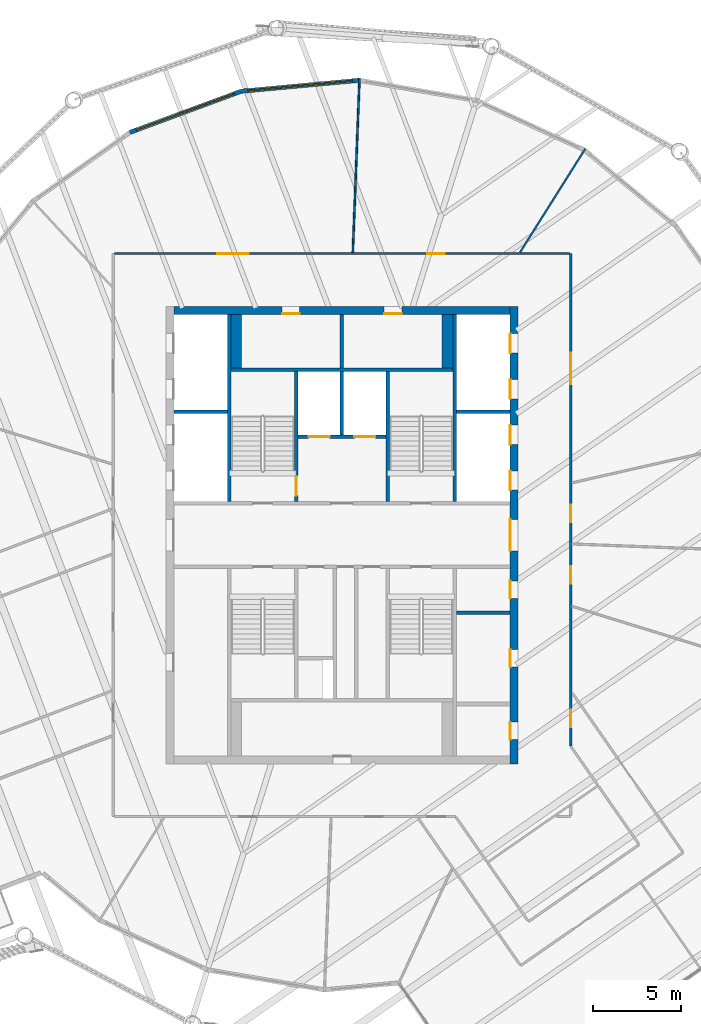
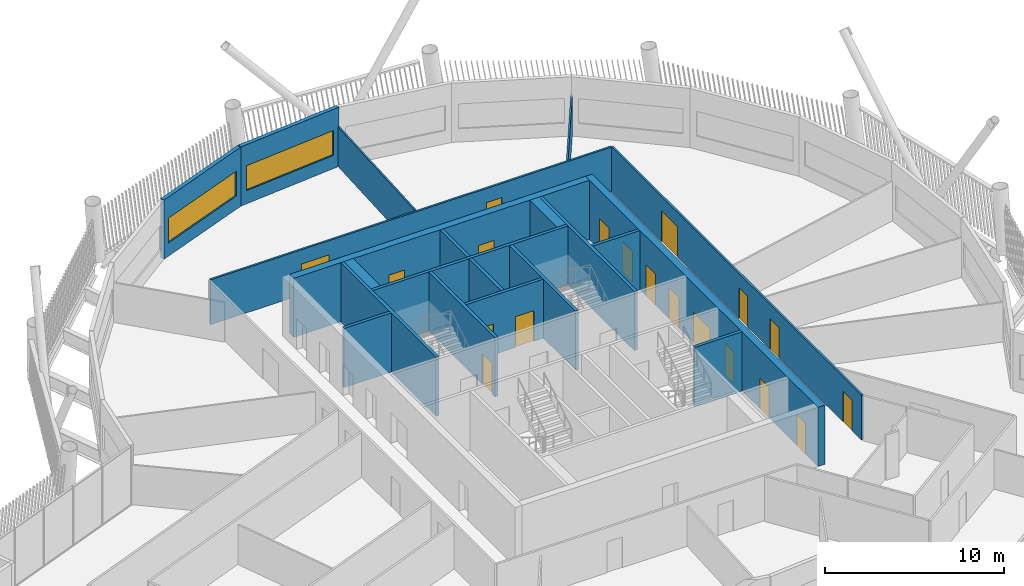
# One storey, part 19 of 33: 21 walls, 19 doors, 2 windows, 21 openings.
"""IFC4 building model written with IfcOpenShell, lengths in metres."""

import ifcopenshell
import ifcopenshell.guid

model = None  # the IFC model being written
_history = None  # IfcOwnerHistory: only IFC2X3 demands one
_inside = {}  # id of a spatial element -> (the spatial element, [elements in it])
_under = {}  # id of a project, library or spatial element -> (it, [spatial elements below it])
_declared = {}  # id of a project -> (the project, [libraries it declares])
_typed = {}  # id of a type object -> (the type object, [elements of that type])
_made_of = {}  # id of a material, layer set ... -> (it, [elements and type objects made of it])


def new_model(schema):
    """Start an empty IFC model of exactly this schema.

    Asked for "IFC4X3", IfcOpenShell would pick the latest addendum, in which some entities
    have other attributes; the version numbers below select the first issue.
    IFC2X3 requires an IfcOwnerHistory on every rooted entity: one is made here for all.
    """
    global model, _history
    if schema == "IFC4X3":
        model = ifcopenshell.file(schema_version=(4, 3, 0, 0))
    else:
        model = ifcopenshell.file(schema=schema)
    _inside.clear()
    _under.clear()
    _declared.clear()
    _typed.clear()
    _made_of.clear()
    _history = None
    if model.schema == "IFC2X3":
        org = make("IfcOrganization", Name="unknown")
        user = make(
            "IfcPersonAndOrganization",
            ThePerson=make("IfcPerson", FamilyName="unknown"),
            TheOrganization=org,
        )
        app = make(
            "IfcApplication",
            ApplicationDeveloper=org,
            Version="unknown",
            ApplicationFullName="unknown",
            ApplicationIdentifier="unknown",
        )
        _history = make(
            "IfcOwnerHistory",
            OwningUser=user,
            OwningApplication=app,
            ChangeAction="ADDED",
            CreationDate=0,
        )
    return model


def make(cls, **values):
    """One entity of the class cls with the attributes given. An attribute that is None is left unset."""
    return model.create_entity(
        cls, **{name: value for name, value in values.items() if value is not None}
    )


def rooted(cls, **values):
    """An entity with a GlobalId (a new one), such as an element, a storey or a relation."""
    return make(cls, GlobalId=ifcopenshell.guid.new(), OwnerHistory=_history, **values)


def si_unit(unit_type, name, prefix=None):
    """IfcSIUnit, for example si_unit("LENGTHUNIT", "METRE", prefix="MILLI")."""
    return make("IfcSIUnit", UnitType=unit_type, Prefix=prefix, Name=name)


def assignment(units):
    """IfcUnitAssignment: the units of a project."""
    return None if units is None else make("IfcUnitAssignment", Units=units)


def point(xyz):
    """IfcCartesianPoint."""
    return None if xyz is None else make("IfcCartesianPoint", Coordinates=xyz)


def direction(xyz):
    """IfcDirection."""
    return None if xyz is None else make("IfcDirection", DirectionRatios=xyz)


def frame(location, z_axis=None, x_axis=None):
    """IfcAxis2Placement3D, a coordinate frame: its origin and axes. An axis left out is left unset."""
    return make(
        "IfcAxis2Placement3D",
        Location=point(location),
        Axis=direction(z_axis),
        RefDirection=direction(x_axis),
    )


def frame_2d(location, x_axis=None):
    """IfcAxis2Placement2D, a coordinate frame in the plane: its origin and x axis."""
    return make(
        "IfcAxis2Placement2D", Location=point(location), RefDirection=direction(x_axis)
    )


def origin():
    """The frame at (0, 0, 0) with its axes left unset."""
    return frame((0.0, 0.0, 0.0))


def place(relative_to, where):
    """IfcLocalPlacement: puts the frame where relative to a parent placement (None: the world)."""
    return make(
        "IfcLocalPlacement", PlacementRelTo=relative_to, RelativePlacement=where
    )


def context(
    kind, dimensions, precision=None, world=None, true_north=None, identifier=None
):
    """IfcGeometricRepresentationContext, for example the 3D "Model" context."""
    return make(
        "IfcGeometricRepresentationContext",
        ContextIdentifier=identifier,
        ContextType=kind,
        CoordinateSpaceDimension=dimensions,
        Precision=precision,
        WorldCoordinateSystem=world,
        TrueNorth=true_north,
    )


def subcontext(parent, identifier, kind, view, scale=None):
    """IfcGeometricRepresentationSubContext, for example "Body" below "Model"."""
    return make(
        "IfcGeometricRepresentationSubContext",
        ContextIdentifier=identifier,
        ContextType=kind,
        ParentContext=parent,
        TargetScale=scale,
        TargetView=view,
    )


def project(units=None, contexts=None):
    """IfcProject with its units and contexts."""
    return rooted(
        "IfcProject",
        Name="project",
        RepresentationContexts=contexts,
        UnitsInContext=assignment(units),
    )


def spatial(cls, under=None, at=None, **own):
    """A site, building, storey or space (cls), placed at a placement, below another one or the project."""
    s = rooted(cls, ObjectPlacement=at, **own)
    if under is not None:
        _under.setdefault(under.id(), (under, []))[1].append(s)
    return s


def profile(cls, at=None, kind="AREA", **sizes):
    """A parametric profile (cls). Its sizes go by their IFC names, for example OverallWidth=200.0."""
    return make(cls, ProfileType=kind, Position=at, **sizes)


def rectangle(**sizes):
    """IfcRectangleProfileDef."""
    return profile("IfcRectangleProfileDef", **sizes)


def extrude(swept, where, along, depth):
    """IfcExtrudedAreaSolid: the profile swept, set in the frame where, extruded along a direction by depth."""
    return make(
        "IfcExtrudedAreaSolid",
        SweptArea=swept,
        Position=where,
        ExtrudedDirection=direction(along),
        Depth=depth,
    )


def shape(context_of_items, identifier, shape_type, items):
    """IfcShapeRepresentation: the items that make up one representation, for example the "Body"."""
    return make(
        "IfcShapeRepresentation",
        ContextOfItems=context_of_items,
        RepresentationIdentifier=identifier,
        RepresentationType=shape_type,
        Items=items,
    )


def material(Name=None, Category=None):
    """IfcMaterial."""
    return make("IfcMaterial", Name=Name, Category=Category)


def layer(
    of_material, thickness, ventilated=None, Name=None, Category=None, Priority=None
):
    """IfcMaterialLayer: one layer of a wall or slab, of a material (None: an air gap)."""
    return make(
        "IfcMaterialLayer",
        Material=of_material,
        LayerThickness=thickness,
        IsVentilated=ventilated,
        Name=Name,
        Category=Category,
        Priority=Priority,
    )


def layer_set(layers, Name=None):
    """IfcMaterialLayerSet."""
    return make("IfcMaterialLayerSet", MaterialLayers=layers, LayerSetName=Name)


def made_of(thing, what):
    """Note that an element or type object is made of a material, layer set ...; save() writes the relation."""
    if what is not None:
        _made_of.setdefault(what.id(), (what, []))[1].append(thing)
    return thing


def type_object(cls, material=None, **own):
    """A type object (cls), such as IfcWallType, which elements share."""
    return made_of(rooted(cls, **own), material)


def element(
    cls,
    number,
    at=None,
    inside=None,
    cuts=None,
    type_object=None,
    material=None,
    context=None,
    identifier="Body",
    shape_type=None,
    held_by="IfcProductDefinitionShape",
    body=None,
    shapes=None,
    **own,
):
    """One element of the class cls, such as IfcWall. Its Tag is "e" and its number.

    at: its placement. inside: the storey or other place that contains it. cuts: it is an
    opening in that element (IfcRelVoidsElement). A single representation is given by context,
    identifier, shape_type and body (its items); several are given by shapes. held_by: the class
    of the entity that holds the representations. save() writes the other relations.
    """
    e = rooted(cls, Tag="e%d" % number, ObjectPlacement=at, **own)
    if body is not None:
        shapes = [shape(context, identifier, shape_type, body)]
    if shapes is not None:
        e.Representation = make(held_by, Representations=shapes)
    if inside is not None:
        _inside.setdefault(inside.id(), (inside, []))[1].append(e)
    if cuts is not None:
        rooted(
            "IfcRelVoidsElement", RelatingBuildingElement=cuts, RelatedOpeningElement=e
        )
    if type_object is not None:
        _typed.setdefault(type_object.id(), (type_object, []))[1].append(e)
    return made_of(e, material)


def fill(opening, filler):
    """IfcRelFillsElement: the door or window that sits in an opening."""
    return rooted(
        "IfcRelFillsElement",
        RelatingOpeningElement=opening,
        RelatedBuildingElement=filler,
    )


def aggregate(whole, parts):
    """IfcRelAggregates: a whole, such as a stair, and the parts it consists of."""
    return rooted("IfcRelAggregates", RelatingObject=whole, RelatedObjects=parts)


def save(model, path):
    """Write the relations noted so far, then the file.

    IfcRelAggregates (storeys below a building ...), IfcRelContainedInSpatialStructure (elements
    in a storey), IfcRelDefinesByType, IfcRelAssociatesMaterial and IfcRelDeclares: one each for
    every whole, place, type object, material and project.
    """
    for whole, parts in _under.values():
        aggregate(whole, parts)
    for where, things in _inside.values():
        rooted(
            "IfcRelContainedInSpatialStructure",
            RelatedElements=things,
            RelatingStructure=where,
        )
    for kind, things in _typed.values():
        rooted("IfcRelDefinesByType", RelatedObjects=things, RelatingType=kind)
    for what, things in _made_of.values():
        rooted("IfcRelAssociatesMaterial", RelatedObjects=things, RelatingMaterial=what)
    for by, libraries in _declared.values():
        rooted("IfcRelDeclares", RelatingContext=by, RelatedDefinitions=libraries)
    model.write(path)


model = new_model("IFC4")

# Units and contexts
model_context = context("Model", 3, precision=1e-05, world=origin(), true_north=direction((0.0, 1.0)))
body_context = subcontext(model_context, "Body", "Model", "MODEL_VIEW")
ifc_project = project(units=[si_unit("LENGTHUNIT", "METRE"), si_unit("AREAUNIT", "SQUARE_METRE"), si_unit("VOLUMEUNIT", "CUBIC_METRE"), si_unit("PLANEANGLEUNIT", "RADIAN"), si_unit("MASSUNIT", "GRAM", prefix="KILO")], contexts=[model_context])

# Site, building, storey
site_placement = place(None, origin())
site = spatial("IfcSite", under=ifc_project, at=site_placement, CompositionType="ELEMENT")
building_placement = place(site_placement, origin())
building = spatial("IfcBuilding", under=site, at=building_placement, Name="Tarsis Ring Headquarters", CompositionType="ELEMENT")
storey_placement = place(building_placement, frame((0.0, 0.0, 369.199951171875)))
storey = spatial("IfcBuildingStorey", under=building, at=storey_placement, Name="L87", CompositionType="ELEMENT", Elevation=369.199951171875)

# Walls
ifc_material_1 = material(Name="Blockwork", Category="masonry")
ifc_layer_1 = layer(ifc_material_1, 0.199951171875)
ifc_layer_set_1 = layer_set([ifc_layer_1], Name="Core blockwork wall 200")
wall_type_1 = type_object("IfcWallType", Name="Core blockwork wall 200", PredefinedType="PARTITIONING", material=ifc_layer_set_1)
for number, where, z_axis, x_axis, name in (
    (1, (6.5, -4.39990234375, 0.0), (0.0, 0.0, 1.0), (1.0, 0.0, 0.0), "Core partition ED3"),
    (2, (0.0, 9.5, 0.0), (0.0, 0.0, 1.0), (0.0, 1.0, 0.0), "Core partition ND2"),
):
    element("IfcWall", number, at=place(storey_placement, frame(where, z_axis=z_axis, x_axis=x_axis)), inside=storey, type_object=wall_type_1, Name=name, PredefinedType="PARTITIONING", context=body_context, shape_type="SweptSolid", body=[
        extrude(rectangle(XDim=3.050048828125, YDim=0.199951171875, at=frame_2d((1.52490234375, 0.0))), origin(), (0.0, 0.0, 1.0), 4.0400390625),
    ])

# Wall, openings, doors
ifc_material_2 = material(Name="Concrete C50/60", Category="concrete")
ifc_layer_2 = layer(ifc_material_2, 0.449951171875)
ifc_layer_set_2 = layer_set([ifc_layer_2], Name="Core wall 450 C50/60")
wall_type_2 = type_object("IfcWallType", Name="Core wall 450 C50/60", PredefinedType="SHEAR", material=ifc_layer_set_2)
wall_1_placement = place(storey_placement, frame((9.77490234375, -13.0, 0.0), z_axis=(0.0, 0.0, 1.0), x_axis=(0.0, 1.0, 0.0)))
wall_1 = element("IfcWall", 3, at=wall_1_placement, inside=storey, type_object=wall_type_2, Name="Core wall OE", PredefinedType="SHEAR", context=body_context, shape_type="SweptSolid", body=[
    extrude(rectangle(XDim=26.0, YDim=0.449951171875, at=frame_2d((13.0, 0.0))), origin(), (0.0, 0.0, 1.0), 4.0400390625),
])
opening_1_placement = place(wall_1_placement, frame((1.375, 0.0, 0.0)))
opening_1 = element("IfcOpeningElement", 4, at=opening_1_placement, cuts=wall_1, Name="Opening L87-C07", PredefinedType="OPENING", context=body_context, shape_type="SweptSolid", body=[
    extrude(rectangle(XDim=1.0, YDim=2.10009765625, at=frame_2d((0.5, 1.050048828125))), frame((0.0, 0.23486328125, 0.0), z_axis=(0.0, -1.0, 0.0), x_axis=(1.0, 0.0, 0.0)), (0.0, 0.0, 1.0), 0.469970703125),
])
opening_2_placement = place(wall_1_placement, frame((5.5, 0.0, 0.0)))
opening_2 = element("IfcOpeningElement", 5, at=opening_2_placement, cuts=wall_1, Name="Opening L87-C08", PredefinedType="OPENING", context=body_context, shape_type="SweptSolid", body=[
    extrude(rectangle(XDim=1.0, YDim=2.10009765625, at=frame_2d((0.5, 1.050048828125))), frame((0.0, 0.23486328125, 0.0), z_axis=(0.0, -1.0, 0.0), x_axis=(1.0, 0.0, 0.0)), (0.0, 0.0, 1.0), 0.469970703125),
])
opening_3_placement = place(wall_1_placement, frame((9.39990234375, 0.0, 0.0)))
opening_3 = element("IfcOpeningElement", 6, at=opening_3_placement, cuts=wall_1, Name="Opening L87-C09", PredefinedType="OPENING", context=body_context, shape_type="SweptSolid", body=[
    extrude(rectangle(XDim=1.0, YDim=2.10009765625, at=frame_2d((0.5, 1.050048828125))), frame((0.0, 0.23486328125, 0.0), z_axis=(0.0, -1.0, 0.0), x_axis=(1.0, 0.0, 0.0)), (0.0, 0.0, 1.0), 0.469970703125),
])
opening_4_placement = place(wall_1_placement, frame((12.10009765625, 0.0, 0.0)))
opening_4 = element("IfcOpeningElement", 7, at=opening_4_placement, cuts=wall_1, Name="Opening L87-C10", PredefinedType="OPENING", context=body_context, shape_type="SweptSolid", body=[
    extrude(rectangle(XDim=1.800048828125, YDim=2.10009765625, at=frame_2d((0.89990234375, 1.050048828125))), frame((0.0, 0.23486328125, 0.0), z_axis=(0.0, -1.0, 0.0), x_axis=(1.0, 0.0, 0.0)), (0.0, 0.0, 1.0), 0.469970703125),
])
opening_5_placement = place(wall_1_placement, frame((15.550048828125, 0.0, 0.0)))
opening_5 = element("IfcOpeningElement", 8, at=opening_5_placement, cuts=wall_1, Name="Opening LD-HR5", PredefinedType="OPENING", context=body_context, shape_type="SweptSolid", body=[
    extrude(rectangle(XDim=1.10009765625, YDim=2.10009765625, at=frame_2d((0.550048828125, 1.050048828125))), frame((0.0, 0.23486328125, 0.0), z_axis=(0.0, -1.0, 0.0), x_axis=(1.0, 0.0, 0.0)), (0.0, 0.0, 1.0), 0.469970703125),
])
opening_6_placement = place(wall_1_placement, frame((18.14990234375, 0.0, 0.0)))
opening_6 = element("IfcOpeningElement", 9, at=opening_6_placement, cuts=wall_1, Name="Opening LD-HR6", PredefinedType="OPENING", context=body_context, shape_type="SweptSolid", body=[
    extrude(rectangle(XDim=1.10009765625, YDim=2.10009765625, at=frame_2d((0.550048828125, 1.050048828125))), frame((0.0, 0.23486328125, 0.0), z_axis=(0.0, -1.0, 0.0), x_axis=(1.0, 0.0, 0.0)), (0.0, 0.0, 1.0), 0.469970703125),
])
opening_7_placement = place(wall_1_placement, frame((20.75, 0.0, 0.0)))
opening_7 = element("IfcOpeningElement", 10, at=opening_7_placement, cuts=wall_1, Name="Opening LD-HR7", PredefinedType="OPENING", context=body_context, shape_type="SweptSolid", body=[
    extrude(rectangle(XDim=1.10009765625, YDim=2.10009765625, at=frame_2d((0.550048828125, 1.050048828125))), frame((0.0, 0.23486328125, 0.0), z_axis=(0.0, -1.0, 0.0), x_axis=(1.0, 0.0, 0.0)), (0.0, 0.0, 1.0), 0.469970703125),
])
opening_8_placement = place(wall_1_placement, frame((23.35009765625, 0.0, 0.0)))
opening_8 = element("IfcOpeningElement", 11, at=opening_8_placement, cuts=wall_1, Name="Opening LD-HR8", PredefinedType="OPENING", context=body_context, shape_type="SweptSolid", body=[
    extrude(rectangle(XDim=1.10009765625, YDim=2.10009765625, at=frame_2d((0.550048828125, 1.050048828125))), frame((0.0, 0.23486328125, 0.0), z_axis=(0.0, -1.0, 0.0), x_axis=(1.0, 0.0, 0.0)), (0.0, 0.0, 1.0), 0.469970703125),
])
ifc_material_3 = material(Name="Steel S355", Category="steel")
door_type_1 = type_object("IfcDoorType", Name="Core entry door 1800x2100", OperationType="DOUBLE_DOOR_SINGLE_SWING", PredefinedType="DOOR", material=ifc_material_3)
door_1_placement = place(opening_4_placement, origin())
door_1 = element("IfcDoor", 12, at=door_1_placement, inside=storey, type_object=door_type_1, Name="Core entry door L87", OperationType="DOUBLE_DOOR_SINGLE_SWING", OverallHeight=2.10009765625, OverallWidth=1.800048828125, PredefinedType="DOOR", context=body_context, shape_type="SweptSolid", body=[
    extrude(rectangle(XDim=1.800048828125, YDim=2.10009765625, at=frame_2d((0.89990234375, 1.050048828125))), frame((0.0, 0.22509765625, 0.0), z_axis=(0.0, -1.0, 0.0), x_axis=(1.0, 0.0, 0.0)), (0.0, 0.0, 1.0), 0.050048828125),
])
fill(opening_4, door_1)
door_type_2 = type_object("IfcDoorType", Name="Core room door 1000x2100", OperationType="SINGLE_SWING_LEFT", PredefinedType="DOOR", material=ifc_material_3)
door_2_placement = place(opening_1_placement, origin())
door_2 = element("IfcDoor", 13, at=door_2_placement, inside=storey, type_object=door_type_2, Name="Core room door L87", OperationType="SINGLE_SWING_LEFT", OverallHeight=2.10009765625, OverallWidth=1.0, PredefinedType="DOOR", context=body_context, shape_type="SweptSolid", body=[
    extrude(rectangle(XDim=1.0, YDim=2.10009765625, at=frame_2d((0.5, 1.050048828125))), frame((0.0, 0.22509765625, 0.0), z_axis=(0.0, -1.0, 0.0), x_axis=(1.0, 0.0, 0.0)), (0.0, 0.0, 1.0), 0.050048828125),
])
fill(opening_1, door_2)
door_3_placement = place(opening_2_placement, origin())
door_3 = element("IfcDoor", 14, at=door_3_placement, inside=storey, type_object=door_type_2, Name="Core room door L87", OperationType="SINGLE_SWING_LEFT", OverallHeight=2.10009765625, OverallWidth=1.0, PredefinedType="DOOR", context=body_context, shape_type="SweptSolid", body=[
    extrude(rectangle(XDim=1.0, YDim=2.10009765625, at=frame_2d((0.5, 1.050048828125))), frame((0.0, 0.22509765625, 0.0), z_axis=(0.0, -1.0, 0.0), x_axis=(1.0, 0.0, 0.0)), (0.0, 0.0, 1.0), 0.050048828125),
])
fill(opening_2, door_3)
door_4_placement = place(opening_3_placement, origin())
door_4 = element("IfcDoor", 15, at=door_4_placement, inside=storey, type_object=door_type_2, Name="Core room door L87", OperationType="SINGLE_SWING_LEFT", OverallHeight=2.10009765625, OverallWidth=1.0, PredefinedType="DOOR", context=body_context, shape_type="SweptSolid", body=[
    extrude(rectangle(XDim=1.0, YDim=2.10009765625, at=frame_2d((0.5, 1.050048828125))), frame((0.0, 0.22509765625, 0.0), z_axis=(0.0, -1.0, 0.0), x_axis=(1.0, 0.0, 0.0)), (0.0, 0.0, 1.0), 0.050048828125),
])
fill(opening_3, door_4)
door_type_3 = type_object("IfcDoorType", Name="Landing door 1100x2100", OperationType="SLIDING_TO_LEFT", PredefinedType="DOOR", material=ifc_material_3)
door_5_placement = place(opening_5_placement, origin())
door_5 = element("IfcDoor", 16, at=door_5_placement, inside=storey, type_object=door_type_3, Name="Landing door HR5 L87", OperationType="SLIDING_TO_LEFT", OverallHeight=2.10009765625, OverallWidth=1.10009765625, PredefinedType="DOOR", context=body_context, shape_type="SweptSolid", body=[
    extrude(rectangle(XDim=1.10009765625, YDim=2.10009765625, at=frame_2d((0.550048828125, 1.050048828125))), frame((0.0, 0.22509765625, 0.0), z_axis=(0.0, -1.0, 0.0), x_axis=(1.0, 0.0, 0.0)), (0.0, 0.0, 1.0), 0.050048828125),
])
fill(opening_5, door_5)
door_6_placement = place(opening_6_placement, origin())
door_6 = element("IfcDoor", 17, at=door_6_placement, inside=storey, type_object=door_type_3, Name="Landing door HR6 L87", OperationType="SLIDING_TO_LEFT", OverallHeight=2.10009765625, OverallWidth=1.10009765625, PredefinedType="DOOR", context=body_context, shape_type="SweptSolid", body=[
    extrude(rectangle(XDim=1.10009765625, YDim=2.10009765625, at=frame_2d((0.550048828125, 1.050048828125))), frame((0.0, 0.22509765625, 0.0), z_axis=(0.0, -1.0, 0.0), x_axis=(1.0, 0.0, 0.0)), (0.0, 0.0, 1.0), 0.050048828125),
])
fill(opening_6, door_6)
door_7_placement = place(opening_7_placement, origin())
door_7 = element("IfcDoor", 18, at=door_7_placement, inside=storey, type_object=door_type_3, Name="Landing door HR7 L87", OperationType="SLIDING_TO_LEFT", OverallHeight=2.10009765625, OverallWidth=1.10009765625, PredefinedType="DOOR", context=body_context, shape_type="SweptSolid", body=[
    extrude(rectangle(XDim=1.10009765625, YDim=2.10009765625, at=frame_2d((0.550048828125, 1.050048828125))), frame((0.0, 0.22509765625, 0.0), z_axis=(0.0, -1.0, 0.0), x_axis=(1.0, 0.0, 0.0)), (0.0, 0.0, 1.0), 0.050048828125),
])
fill(opening_7, door_7)
door_8_placement = place(opening_8_placement, origin())
door_8 = element("IfcDoor", 19, at=door_8_placement, inside=storey, type_object=door_type_3, Name="Landing door HR8 L87", OperationType="SLIDING_TO_LEFT", OverallHeight=2.10009765625, OverallWidth=1.10009765625, PredefinedType="DOOR", context=body_context, shape_type="SweptSolid", body=[
    extrude(rectangle(XDim=1.10009765625, YDim=2.10009765625, at=frame_2d((0.550048828125, 1.050048828125))), frame((0.0, 0.22509765625, 0.0), z_axis=(0.0, -1.0, 0.0), x_axis=(1.0, 0.0, 0.0)), (0.0, 0.0, 1.0), 0.050048828125),
])
fill(opening_8, door_8)

wall_2_placement = place(storey_placement, frame((-9.550048828125, 12.77490234375, 0.0), z_axis=(0.0, 0.0, 1.0), x_axis=(1.0, 0.0, 0.0)))
wall_2 = element("IfcWall", 20, at=wall_2_placement, inside=storey, type_object=wall_type_2, Name="Core wall ON", PredefinedType="SHEAR", context=body_context, shape_type="SweptSolid", body=[
    extrude(rectangle(XDim=19.10009765625, YDim=0.449951171875, at=frame_2d((9.550048828125, 0.0))), origin(), (0.0, 0.0, 1.0), 4.0400390625),
])
opening_9_placement = place(wall_2_placement, frame((6.14990234375, 0.0, 0.0)))
opening_9 = element("IfcOpeningElement", 21, at=opening_9_placement, cuts=wall_2, Name="Opening L87-C15", PredefinedType="OPENING", context=body_context, shape_type="SweptSolid", body=[
    extrude(rectangle(XDim=1.0, YDim=2.10009765625, at=frame_2d((0.5, 1.050048828125))), frame((0.0, 0.23486328125, 0.0), z_axis=(0.0, -1.0, 0.0), x_axis=(1.0, 0.0, 0.0)), (0.0, 0.0, 1.0), 0.469970703125),
])
opening_10_placement = place(wall_2_placement, frame((11.949951171875, 0.0, 0.0)))
opening_10 = element("IfcOpeningElement", 22, at=opening_10_placement, cuts=wall_2, Name="Opening L87-C16", PredefinedType="OPENING", context=body_context, shape_type="SweptSolid", body=[
    extrude(rectangle(XDim=1.0, YDim=2.10009765625, at=frame_2d((0.5, 1.050048828125))), frame((0.0, 0.23486328125, 0.0), z_axis=(0.0, -1.0, 0.0), x_axis=(1.0, 0.0, 0.0)), (0.0, 0.0, 1.0), 0.469970703125),
])
door_9_placement = place(opening_9_placement, origin())
door_9 = element("IfcDoor", 23, at=door_9_placement, inside=storey, type_object=door_type_2, Name="Core room door L87", OperationType="SINGLE_SWING_LEFT", OverallHeight=2.10009765625, OverallWidth=1.0, PredefinedType="DOOR", context=body_context, shape_type="SweptSolid", body=[
    extrude(rectangle(XDim=1.0, YDim=2.10009765625, at=frame_2d((0.5, 1.050048828125))), frame((0.0, -0.1748046875, 0.0), z_axis=(0.0, -1.0, 0.0), x_axis=(1.0, 0.0, 0.0)), (0.0, 0.0, 1.0), 0.050048828125),
])
fill(opening_9, door_9)
door_10_placement = place(opening_10_placement, origin())
door_10 = element("IfcDoor", 24, at=door_10_placement, inside=storey, type_object=door_type_2, Name="Core room door L87", OperationType="SINGLE_SWING_LEFT", OverallHeight=2.10009765625, OverallWidth=1.0, PredefinedType="DOOR", context=body_context, shape_type="SweptSolid", body=[
    extrude(rectangle(XDim=1.0, YDim=2.10009765625, at=frame_2d((0.5, 1.050048828125))), frame((0.0, -0.1748046875, 0.0), z_axis=(0.0, -1.0, 0.0), x_axis=(1.0, 0.0, 0.0)), (0.0, 0.0, 1.0), 0.050048828125),
])
fill(opening_10, door_10)

# Walls
ifc_material_4 = material(Name="Gypsum board on steel studs", Category="steel")
ifc_layer_3 = layer(ifc_material_4, 0.10009765625)
ifc_layer_set_3 = layer_set([ifc_layer_3], Name="FL partition 100 unrated")
wall_type_3 = type_object("IfcWallType", Name="FL partition 100 unrated", PredefinedType="PARTITIONING", material=ifc_layer_set_3)
wall_3_placement = place(storey_placement, frame((0.6171875, 16.06982421875, 0.0), z_axis=(0.0, 0.0, 1.0), x_axis=(0.03840461206, 0.999262270764, 0.0)))
element("IfcWall", 25, at=wall_3_placement, inside=storey, type_object=wall_type_3, Name="Partition PW3", PredefinedType="PARTITIONING", context=body_context, shape_type="SweptSolid", body=[
    extrude(rectangle(XDim=9.8662109375, YDim=0.10009765625, at=frame_2d((4.93310546875, 0.0))), origin(), (0.0, 0.0, 1.0), 2.699951171875),
])
wall_4_placement = place(storey_placement, frame((10.123779296875, 16.076171875, 0.0), z_axis=(0.0, 0.0, 1.0), x_axis=(0.532866379192, 0.846199398444, 0.0)))
element("IfcWall", 26, at=wall_4_placement, inside=storey, type_object=wall_type_3, Name="Partition PW3", PredefinedType="PARTITIONING", context=body_context, shape_type="SweptSolid", body=[
    extrude(rectangle(XDim=6.949462890625, YDim=0.10009765625, at=frame_2d((3.474609375, 0.0))), origin(), (0.0, 0.0, 1.0), 2.699951171875),
])

# Wall, openings, doors
ifc_layer_4 = layer(ifc_material_4, 0.125)
ifc_layer_set_4 = layer_set([ifc_layer_4], Name="FL partition 125 EI 60 H3070")
wall_type_4 = type_object("IfcWallType", Name="FL partition 125 EI 60 H3070", PredefinedType="PARTITIONING", material=ifc_layer_set_4)
wall_5_placement = place(storey_placement, frame((13.0, -11.99365234375, 0.0), z_axis=(0.0, 0.0, 1.0), x_axis=(0.0, 1.0, 0.0)))
wall_5 = element("IfcWall", 27, at=wall_5_placement, inside=storey, type_object=wall_type_4, Name="Partition PW1H307", PredefinedType="PARTITIONING", context=body_context, shape_type="SweptSolid", body=[
    extrude(rectangle(XDim=27.99365234375, YDim=0.125, at=frame_2d((13.996826171875, 0.0))), origin(), (0.0, 0.0, 1.0), 3.070068359375),
])
opening_11_placement = place(wall_5_placement, frame((20.5703125, 0.0, 0.0)))
opening_11 = element("IfcOpeningElement", 28, at=opening_11_placement, cuts=wall_5, Name="Opening D87.07", PredefinedType="OPENING", context=body_context, shape_type="SweptSolid", body=[
    extrude(rectangle(XDim=1.800048828125, YDim=2.10009765625, at=frame_2d((0.89990234375, 1.050048828125))), frame((0.0, 0.072509765625, 0.0), z_axis=(0.0, -1.0, 0.0), x_axis=(1.0, 0.0, 0.0)), (0.0, 0.0, 1.0), 0.14501953125),
])
opening_12_placement = place(wall_5_placement, frame((12.720703125, 0.0, 0.0)))
opening_12 = element("IfcOpeningElement", 29, at=opening_12_placement, cuts=wall_5, Name="Opening D87.08", PredefinedType="OPENING", context=body_context, shape_type="SweptSolid", body=[
    extrude(rectangle(XDim=1.0, YDim=2.10009765625, at=frame_2d((0.5, 1.050048828125))), frame((0.0, 0.072509765625, 0.0), z_axis=(0.0, -1.0, 0.0), x_axis=(1.0, 0.0, 0.0)), (0.0, 0.0, 1.0), 0.14501953125),
])
opening_13_placement = place(wall_5_placement, frame((9.23193359375, 0.0, 0.0)))
opening_13 = element("IfcOpeningElement", 30, at=opening_13_placement, cuts=wall_5, Name="Opening D87.09", PredefinedType="OPENING", context=body_context, shape_type="SweptSolid", body=[
    extrude(rectangle(XDim=1.0, YDim=2.10009765625, at=frame_2d((0.5, 1.050048828125))), frame((0.0, 0.072509765625, 0.0), z_axis=(0.0, -1.0, 0.0), x_axis=(1.0, 0.0, 0.0)), (0.0, 0.0, 1.0), 0.14501953125),
])
opening_14_placement = place(wall_5_placement, frame((1.076904296875, 0.0, 0.0)))
opening_14 = element("IfcOpeningElement", 31, at=opening_14_placement, cuts=wall_5, Name="Opening D87.18", PredefinedType="OPENING", context=body_context, shape_type="SweptSolid", body=[
    extrude(rectangle(XDim=1.0, YDim=2.10009765625, at=frame_2d((0.5, 1.050048828125))), frame((0.0, 0.072509765625, 0.0), z_axis=(0.0, -1.0, 0.0), x_axis=(1.0, 0.0, 0.0)), (0.0, 0.0, 1.0), 0.14501953125),
])
ifc_material_5 = material(Name="Fire-rated timber door leaf in steel frame", Category="steel")
door_type_4 = type_object("IfcDoorType", Name="FL door FD60-1000", OperationType="NOTDEFINED", PredefinedType="DOOR", material=ifc_material_5)
door_11_placement = place(opening_12_placement, origin())
door_11 = element("IfcDoor", 32, at=door_11_placement, inside=storey, type_object=door_type_4, Name="Door D87.08", OperationType="SINGLE_SWING_LEFT", OverallHeight=2.10009765625, OverallWidth=1.0, PredefinedType="DOOR", context=body_context, shape_type="SweptSolid", body=[
    extrude(rectangle(XDim=1.0, YDim=2.10009765625, at=frame_2d((0.5, 1.050048828125))), frame((0.0, 0.02490234375, 0.0), z_axis=(0.0, -1.0, 0.0), x_axis=(1.0, 0.0, 0.0)), (0.0, 0.0, 1.0), 0.050048828125),
])
fill(opening_12, door_11)
door_12_placement = place(opening_13_placement, origin())
door_12 = element("IfcDoor", 33, at=door_12_placement, inside=storey, type_object=door_type_4, Name="Door D87.09", OperationType="SINGLE_SWING_RIGHT", OverallHeight=2.10009765625, OverallWidth=1.0, PredefinedType="DOOR", context=body_context, shape_type="SweptSolid", body=[
    extrude(rectangle(XDim=1.0, YDim=2.10009765625, at=frame_2d((0.5, 1.050048828125))), frame((0.0, 0.02490234375, 0.0), z_axis=(0.0, -1.0, 0.0), x_axis=(1.0, 0.0, 0.0)), (0.0, 0.0, 1.0), 0.050048828125),
])
fill(opening_13, door_12)
door_13_placement = place(opening_14_placement, origin())
door_13 = element("IfcDoor", 34, at=door_13_placement, inside=storey, type_object=door_type_4, Name="Door D87.18", OperationType="SINGLE_SWING_LEFT", OverallHeight=2.10009765625, OverallWidth=1.0, PredefinedType="DOOR", context=body_context, shape_type="SweptSolid", body=[
    extrude(rectangle(XDim=1.0, YDim=2.10009765625, at=frame_2d((0.5, 1.050048828125))), frame((0.0, 0.02490234375, 0.0), z_axis=(0.0, -1.0, 0.0), x_axis=(1.0, 0.0, 0.0)), (0.0, 0.0, 1.0), 0.050048828125),
])
fill(opening_14, door_13)
door_type_5 = type_object("IfcDoorType", Name="FL door FD60-1800", OperationType="DOUBLE_DOOR_SINGLE_SWING", PredefinedType="DOOR", material=ifc_material_5)
door_14_placement = place(opening_11_placement, origin())
door_14 = element("IfcDoor", 35, at=door_14_placement, inside=storey, type_object=door_type_5, Name="Door D87.07", OperationType="DOUBLE_DOOR_SINGLE_SWING", OverallHeight=2.10009765625, OverallWidth=1.800048828125, PredefinedType="DOOR", context=body_context, shape_type="SweptSolid", body=[
    extrude(rectangle(XDim=1.800048828125, YDim=2.10009765625, at=frame_2d((0.89990234375, 1.050048828125))), frame((0.0, 0.02490234375, 0.0), z_axis=(0.0, -1.0, 0.0), x_axis=(1.0, 0.0, 0.0)), (0.0, 0.0, 1.0), 0.050048828125),
])
fill(opening_11, door_14)

wall_6_placement = place(storey_placement, frame((-12.93994140625, 16.0, 0.0), z_axis=(0.0, 0.0, 1.0), x_axis=(1.0, 0.0, 0.0)))
wall_6 = element("IfcWall", 36, at=wall_6_placement, inside=storey, type_object=wall_type_4, Name="Partition PW1H307", PredefinedType="PARTITIONING", context=body_context, shape_type="SweptSolid", body=[
    extrude(rectangle(XDim=25.8798828125, YDim=0.125, at=frame_2d((12.93994140625, 0.0))), origin(), (0.0, 0.0, 1.0), 3.070068359375),
])
opening_15_placement = place(wall_6_placement, frame((5.847412109375, 0.0, 0.0)))
opening_15 = element("IfcOpeningElement", 37, at=opening_15_placement, cuts=wall_6, Name="Opening D87.05", PredefinedType="OPENING", context=body_context, shape_type="SweptSolid", body=[
    extrude(rectangle(XDim=1.800048828125, YDim=2.10009765625, at=frame_2d((0.89990234375, 1.050048828125))), frame((0.0, 0.072509765625, 0.0), z_axis=(0.0, -1.0, 0.0), x_axis=(1.0, 0.0, 0.0)), (0.0, 0.0, 1.0), 0.14501953125),
])
opening_16_placement = place(wall_6_placement, frame((17.78515625, 0.0, 0.0)))
opening_16 = element("IfcOpeningElement", 38, at=opening_16_placement, cuts=wall_6, Name="Opening D87.06", PredefinedType="OPENING", context=body_context, shape_type="SweptSolid", body=[
    extrude(rectangle(XDim=1.0, YDim=2.10009765625, at=frame_2d((0.5, 1.050048828125))), frame((0.0, 0.072509765625, 0.0), z_axis=(0.0, -1.0, 0.0), x_axis=(1.0, 0.0, 0.0)), (0.0, 0.0, 1.0), 0.14501953125),
])
door_15_placement = place(opening_16_placement, origin())
door_15 = element("IfcDoor", 39, at=door_15_placement, inside=storey, type_object=door_type_4, Name="Door D87.06", OperationType="SINGLE_SWING_LEFT", OverallHeight=2.10009765625, OverallWidth=1.0, PredefinedType="DOOR", context=body_context, shape_type="SweptSolid", body=[
    extrude(rectangle(XDim=1.0, YDim=2.10009765625, at=frame_2d((0.5, 1.050048828125))), frame((0.0, 0.02490234375, 0.0), z_axis=(0.0, -1.0, 0.0), x_axis=(1.0, 0.0, 0.0)), (0.0, 0.0, 1.0), 0.050048828125),
])
fill(opening_16, door_15)
door_16_placement = place(opening_15_placement, origin())
door_16 = element("IfcDoor", 40, at=door_16_placement, inside=storey, type_object=door_type_5, Name="Door D87.05", OperationType="DOUBLE_DOOR_SINGLE_SWING", OverallHeight=2.10009765625, OverallWidth=1.800048828125, PredefinedType="DOOR", context=body_context, shape_type="SweptSolid", body=[
    extrude(rectangle(XDim=1.800048828125, YDim=2.10009765625, at=frame_2d((0.89990234375, 1.050048828125))), frame((0.0, 0.02490234375, 0.0), z_axis=(0.0, -1.0, 0.0), x_axis=(1.0, 0.0, 0.0)), (0.0, 0.0, 1.0), 0.050048828125),
])
fill(opening_15, door_16)

# Wall, opening, window
ifc_material_6 = material(Name="Terracotta clad insulated panel wall", Category="masonry")
ifc_layer_5 = layer(ifc_material_6, 0.25)
ifc_layer_set_5 = layer_set([ifc_layer_5], Name="Facade wall terracotta panel 250")
wall_type_5 = type_object("IfcWallType", Name="Facade wall terracotta panel 250", PredefinedType="STANDARD", material=ifc_layer_set_5)
wall_7_placement = place(storey_placement, frame((0.976806640625, 25.853271484375, 0.0), z_axis=(0.0, 0.0, 1.0), x_axis=(-0.995724788795, -0.092369610692, 0.0)))
wall_7 = element("IfcWall", 41, at=wall_7_placement, inside=storey, type_object=wall_type_5, Name="External wall L87-25", PredefinedType="STANDARD", context=body_context, shape_type="SweptSolid", body=[
    extrude(rectangle(XDim=6.721435546875, YDim=0.25, at=frame_2d((3.36083984375, 0.0))), origin(), (0.0, 0.0, 1.0), 4.0400390625),
])
opening_17_placement = place(wall_7_placement, frame((0.3857421875, 0.0, 0.89990234375)))
opening_17 = element("IfcOpeningElement", 42, at=opening_17_placement, cuts=wall_7, Name="Opening WN07", PredefinedType="OPENING", context=body_context, shape_type="SweptSolid", body=[
    extrude(rectangle(XDim=5.949951171875, YDim=1.699951171875, at=frame_2d((2.97509765625, 0.85009765625))), frame((0.0, 0.135009765625, 0.0), z_axis=(0.0, -1.0, 0.0), x_axis=(1.0, 0.0, 0.0)), (0.0, 0.0, 1.0), 0.27001953125),
])
ifc_material_7 = material(Name="Aluminium framed double glazing", Category="aluminium")
window_type = type_object("IfcWindowType", Name="Facade window 5950 x 1700", PartitioningType="SINGLE_PANEL", PredefinedType="WINDOW", material=ifc_material_7)
window_1_placement = place(opening_17_placement, origin())
window_1 = element("IfcWindow", 43, at=window_1_placement, inside=storey, type_object=window_type, Name="Window L87-25.1", OverallHeight=1.699951171875, OverallWidth=5.949951171875, PartitioningType="SINGLE_PANEL", PredefinedType="WINDOW", context=body_context, shape_type="SweptSolid", body=[
    extrude(rectangle(XDim=5.949951171875, YDim=1.699951171875, at=frame_2d((2.97509765625, 0.85009765625))), frame((0.0, 0.030029296875, 0.0), z_axis=(0.0, -1.0, 0.0), x_axis=(1.0, 0.0, 0.0)), (0.0, 0.0, 1.0), 0.06005859375),
])
fill(opening_17, window_1)

wall_8_placement = place(storey_placement, frame((-5.747802734375, 25.225341796875, 0.0), z_axis=(0.0, 0.0, 1.0), x_axis=(-0.937882764182, -0.346952331957, 0.0)))
wall_8 = element("IfcWall", 44, at=wall_8_placement, inside=storey, type_object=wall_type_5, Name="External wall L87-26", PredefinedType="STANDARD", context=body_context, shape_type="SweptSolid", body=[
    extrude(rectangle(XDim=6.721435546875, YDim=0.25, at=frame_2d((3.36083984375, 0.0))), origin(), (0.0, 0.0, 1.0), 4.0400390625),
])
opening_18_placement = place(wall_8_placement, frame((0.3857421875, 0.0, 0.89990234375)))
opening_18 = element("IfcOpeningElement", 45, at=opening_18_placement, cuts=wall_8, Name="Opening WN07", PredefinedType="OPENING", context=body_context, shape_type="SweptSolid", body=[
    extrude(rectangle(XDim=5.949951171875, YDim=1.699951171875, at=frame_2d((2.97509765625, 0.85009765625))), frame((0.0, 0.135009765625, 0.0), z_axis=(0.0, -1.0, 0.0), x_axis=(1.0, 0.0, 0.0)), (0.0, 0.0, 1.0), 0.27001953125),
])
window_2_placement = place(opening_18_placement, origin())
window_2 = element("IfcWindow", 46, at=window_2_placement, inside=storey, type_object=window_type, Name="Window L87-26.1", OverallHeight=1.699951171875, OverallWidth=5.949951171875, PartitioningType="SINGLE_PANEL", PredefinedType="WINDOW", context=body_context, shape_type="SweptSolid", body=[
    extrude(rectangle(XDim=5.949951171875, YDim=1.699951171875, at=frame_2d((2.97509765625, 0.85009765625))), frame((0.0, 0.030029296875, 0.0), z_axis=(0.0, -1.0, 0.0), x_axis=(1.0, 0.0, 0.0)), (0.0, 0.0, 1.0), 0.06005859375),
])
fill(opening_18, window_2)

# Walls
ifc_material_8 = material(Name="Concrete C32/40", Category="concrete")
ifc_layer_6 = layer(ifc_material_8, 0.60009765625)
ifc_layer_set_6 = layer_set([ifc_layer_6], Name="Shaft end wall 600 C32/40")
wall_type_6 = type_object("IfcWallType", Name="Shaft end wall 600 C32/40", PredefinedType="SOLIDWALL", material=ifc_layer_set_6)
for number, where, z_axis, x_axis, name in (
    (47, (-6.0, 9.5, 0.0), (0.0, 0.0, 1.0), (0.0, 1.0, 0.0), "Core shaft wall NNE1"),
    (48, (6.0, 9.5, 0.0), (0.0, 0.0, 1.0), (0.0, 1.0, 0.0), "Core shaft wall NNE2"),
):
    element("IfcWall", number, at=place(storey_placement, frame(where, z_axis=z_axis, x_axis=x_axis)), inside=storey, type_object=wall_type_6, Name=name, PredefinedType="SOLIDWALL", context=body_context, shape_type="SweptSolid", body=[
        extrude(rectangle(XDim=3.050048828125, YDim=0.60009765625, at=frame_2d((1.52490234375, 0.0))), origin(), (0.0, 0.0, 1.0), 4.0400390625),
    ])
ifc_layer_7 = layer(ifc_material_8, 0.199951171875)
ifc_layer_set_7 = layer_set([ifc_layer_7], Name="Shaft wall 200 C32/40")
wall_type_7 = type_object("IfcWallType", Name="Shaft wall 200 C32/40", PredefinedType="SOLIDWALL", material=ifc_layer_set_7)
for number, where, z_axis, x_axis, name in (
    (49, (-6.39990234375, 1.89990234375, 0.0), (0.0, 0.0, 1.0), (0.0, 1.0, 0.0), "Core shaft wall WB2"),
    (50, (6.39990234375, 1.89990234375, 0.0), (0.0, 0.0, 1.0), (0.0, 1.0, 0.0), "Core shaft wall EB2"),
):
    element("IfcWall", number, at=place(storey_placement, frame(where, z_axis=z_axis, x_axis=x_axis)), inside=storey, type_object=wall_type_7, Name=name, PredefinedType="SOLIDWALL", context=body_context, shape_type="SweptSolid", body=[
        extrude(rectangle(XDim=10.650146484375, YDim=0.199951171875, at=frame_2d((5.3251953125, 0.0))), origin(), (0.0, 0.0, 1.0), 4.0400390625),
    ])
wall_9_placement = place(storey_placement, frame((-6.300048828125, 9.39990234375, 0.0), z_axis=(0.0, 0.0, 1.0), x_axis=(1.0, 0.0, 0.0)))
element("IfcWall", 51, at=wall_9_placement, inside=storey, type_object=wall_type_7, Name="Core shaft wall NB", PredefinedType="SOLIDWALL", context=body_context, shape_type="SweptSolid", body=[
    extrude(rectangle(XDim=12.60009765625, YDim=0.199951171875, at=frame_2d((6.300048828125, 0.0))), origin(), (0.0, 0.0, 1.0), 4.0400390625),
])

# Wall, opening, door
wall_10_placement = place(storey_placement, frame((-2.60009765625, 1.89990234375, 0.0), z_axis=(0.0, 0.0, 1.0), x_axis=(0.0, 1.0, 0.0)))
wall_10 = element("IfcWall", 52, at=wall_10_placement, inside=storey, type_object=wall_type_7, Name="Core shaft wall SW1", PredefinedType="SOLIDWALL", context=body_context, shape_type="SweptSolid", body=[
    extrude(rectangle(XDim=7.400146484375, YDim=0.199951171875, at=frame_2d((3.7001953125, 0.0))), origin(), (0.0, 0.0, 1.0), 4.0400390625),
])
opening_19_placement = place(wall_10_placement, frame((0.35009765625, 0.0, 0.0)))
opening_19 = element("IfcOpeningElement", 53, at=opening_19_placement, cuts=wall_10, Name="Opening L87-C26", PredefinedType="OPENING", context=body_context, shape_type="SweptSolid", body=[
    extrude(rectangle(XDim=1.10009765625, YDim=2.10009765625, at=frame_2d((0.550048828125, 1.050048828125))), frame((0.0, 0.10986328125, 0.0), z_axis=(0.0, -1.0, 0.0), x_axis=(1.0, 0.0, 0.0)), (0.0, 0.0, 1.0), 0.219970703125),
])
door_type_6 = type_object("IfcDoorType", Name="Stair door 1100x2100", OperationType="SINGLE_SWING_LEFT", PredefinedType="DOOR", material=ifc_material_3)
door_17_placement = place(opening_19_placement, origin())
door_17 = element("IfcDoor", 54, at=door_17_placement, inside=storey, type_object=door_type_6, Name="Stair door L87", OperationType="SINGLE_SWING_LEFT", OverallHeight=2.10009765625, OverallWidth=1.10009765625, PredefinedType="DOOR", context=body_context, shape_type="SweptSolid", body=[
    extrude(rectangle(XDim=1.10009765625, YDim=2.10009765625, at=frame_2d((0.550048828125, 1.050048828125))), frame((0.0, 0.02490234375, 0.0), z_axis=(0.0, -1.0, 0.0), x_axis=(1.0, 0.0, 0.0)), (0.0, 0.0, 1.0), 0.050048828125),
])
fill(opening_19, door_17)

# Wall
wall_11_placement = place(storey_placement, frame((2.60009765625, 1.89990234375, 0.0), z_axis=(0.0, 0.0, 1.0), x_axis=(0.0, 1.0, 0.0)))
element("IfcWall", 55, at=wall_11_placement, inside=storey, type_object=wall_type_7, Name="Core shaft wall SW2", PredefinedType="SOLIDWALL", context=body_context, shape_type="SweptSolid", body=[
    extrude(rectangle(XDim=7.400146484375, YDim=0.199951171875, at=frame_2d((3.7001953125, 0.0))), origin(), (0.0, 0.0, 1.0), 4.0400390625),
])

# Wall, openings, doors
wall_12_placement = place(storey_placement, frame((-2.5, 5.60009765625, 0.0), z_axis=(0.0, 0.0, 1.0), x_axis=(1.0, 0.0, 0.0)))
wall_12 = element("IfcWall", 56, at=wall_12_placement, inside=storey, type_object=wall_type_7, Name="Core shaft wall FFN", PredefinedType="SOLIDWALL", context=body_context, shape_type="SweptSolid", body=[
    extrude(rectangle(XDim=5.0, YDim=0.199951171875, at=frame_2d((2.5, 0.0))), origin(), (0.0, 0.0, 1.0), 4.0400390625),
])
opening_20_placement = place(wall_12_placement, frame((0.60009765625, 0.0, 0.0)))
opening_20 = element("IfcOpeningElement", 57, at=opening_20_placement, cuts=wall_12, Name="Opening LDF-1", PredefinedType="OPENING", context=body_context, shape_type="SweptSolid", body=[
    extrude(rectangle(XDim=1.199951171875, YDim=2.10009765625, at=frame_2d((0.60009765625, 1.050048828125))), frame((0.0, 0.10986328125, 0.0), z_axis=(0.0, -1.0, 0.0), x_axis=(1.0, 0.0, 0.0)), (0.0, 0.0, 1.0), 0.219970703125),
])
opening_21_placement = place(wall_12_placement, frame((3.199951171875, 0.0, 0.0)))
opening_21 = element("IfcOpeningElement", 58, at=opening_21_placement, cuts=wall_12, Name="Opening LDF-2", PredefinedType="OPENING", context=body_context, shape_type="SweptSolid", body=[
    extrude(rectangle(XDim=1.199951171875, YDim=2.10009765625, at=frame_2d((0.60009765625, 1.050048828125))), frame((0.0, 0.10986328125, 0.0), z_axis=(0.0, -1.0, 0.0), x_axis=(1.0, 0.0, 0.0)), (0.0, 0.0, 1.0), 0.219970703125),
])
door_type_7 = type_object("IfcDoorType", Name="Firefighting landing door 1200x2100", OperationType="SLIDING_TO_LEFT", PredefinedType="DOOR", material=ifc_material_3)
door_18_placement = place(opening_20_placement, origin())
door_18 = element("IfcDoor", 59, at=door_18_placement, inside=storey, type_object=door_type_7, Name="Landing door FF1 L87", OperationType="SLIDING_TO_LEFT", OverallHeight=2.10009765625, OverallWidth=1.199951171875, PredefinedType="DOOR", context=body_context, shape_type="SweptSolid", body=[
    extrude(rectangle(XDim=1.199951171875, YDim=2.10009765625, at=frame_2d((0.60009765625, 1.050048828125))), frame((0.0, 0.02490234375, 0.0), z_axis=(0.0, -1.0, 0.0), x_axis=(1.0, 0.0, 0.0)), (0.0, 0.0, 1.0), 0.050048828125),
])
fill(opening_20, door_18)
door_19_placement = place(opening_21_placement, origin())
door_19 = element("IfcDoor", 60, at=door_19_placement, inside=storey, type_object=door_type_7, Name="Landing door FF2 L87", OperationType="SLIDING_TO_LEFT", OverallHeight=2.10009765625, OverallWidth=1.199951171875, PredefinedType="DOOR", context=body_context, shape_type="SweptSolid", body=[
    extrude(rectangle(XDim=1.199951171875, YDim=2.10009765625, at=frame_2d((0.60009765625, 1.050048828125))), frame((0.0, 0.02490234375, 0.0), z_axis=(0.0, -1.0, 0.0), x_axis=(1.0, 0.0, 0.0)), (0.0, 0.0, 1.0), 0.050048828125),
])
fill(opening_21, door_19)

# Walls
wall_13_placement = place(storey_placement, frame((0.0, 5.699951171875, 0.0), z_axis=(0.0, 0.0, 1.0), x_axis=(0.0, 1.0, 0.0)))
element("IfcWall", 61, at=wall_13_placement, inside=storey, type_object=wall_type_7, Name="Core shaft wall FFD", PredefinedType="SOLIDWALL", context=body_context, shape_type="SweptSolid", body=[
    extrude(rectangle(XDim=3.60009765625, YDim=0.199951171875, at=frame_2d((1.800048828125, 0.0))), origin(), (0.0, 0.0, 1.0), 4.0400390625),
])
for number, where, z_axis, x_axis, name in (
    (62, (-9.550048828125, 7.0, 0.0), (0.0, 0.0, 1.0), (1.0, 0.0, 0.0), "Core shaft wall WD6"),
    (63, (6.5, 7.0, 0.0), (0.0, 0.0, 1.0), (1.0, 0.0, 0.0), "Core shaft wall ED6"),
):
    element("IfcWall", number, at=place(storey_placement, frame(where, z_axis=z_axis, x_axis=x_axis)), inside=storey, type_object=wall_type_7, Name=name, PredefinedType="SOLIDWALL", context=body_context, shape_type="SweptSolid", body=[
        extrude(rectangle(XDim=3.050048828125, YDim=0.199951171875, at=frame_2d((1.52490234375, 0.0))), origin(), (0.0, 0.0, 1.0), 4.0400390625),
    ])

save(model, "model.ifc")
